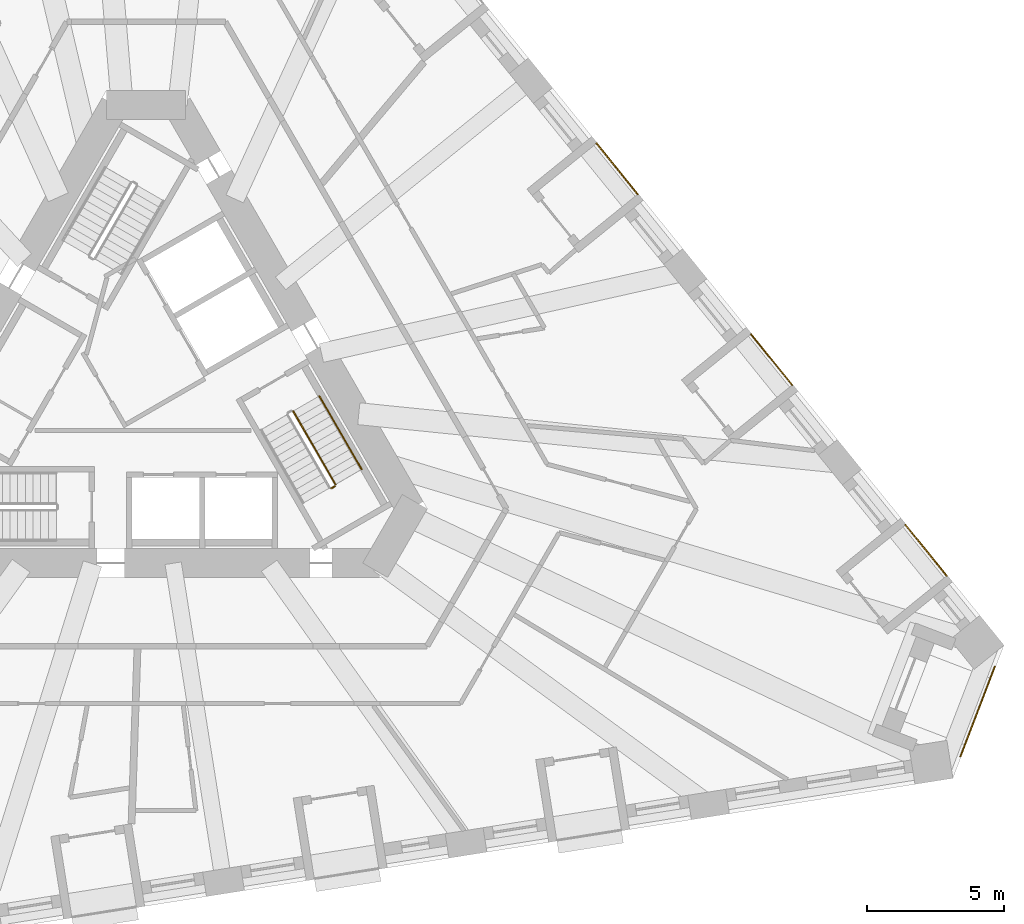
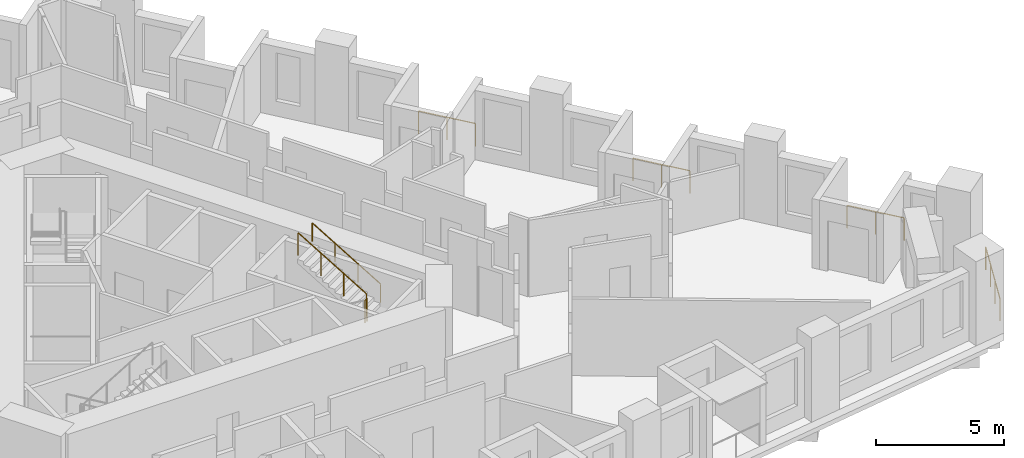
# One storey, part 13 of 14: 7 railings.
"""IFC4 building model written with IfcOpenShell, lengths in metres."""

from ifc_helpers import new_model, si_unit, direction, frame, origin, origin_2d, place, context, subcontext, project, spatial, circle, extrude, material, type_object, element, save


model = new_model("IFC4")

# Units and contexts
model_context = context("Model", 3, precision=1e-05, world=origin(), true_north=direction((0.0, 1.0)))
body_context = subcontext(model_context, "Body", "Model", "MODEL_VIEW")
ifc_project = project(units=[si_unit("LENGTHUNIT", "METRE"), si_unit("AREAUNIT", "SQUARE_METRE"), si_unit("VOLUMEUNIT", "CUBIC_METRE"), si_unit("PLANEANGLEUNIT", "RADIAN"), si_unit("MASSUNIT", "GRAM", prefix="KILO")], contexts=[model_context])

# Site, building, storey
site_placement = place(None, origin())
site = spatial("IfcSite", under=ifc_project, at=site_placement, CompositionType="ELEMENT")
building_placement = place(site_placement, origin())
building = spatial("IfcBuilding", under=site, at=building_placement, Name="Tramontana Tower", CompositionType="ELEMENT")
storey_placement = place(building_placement, frame((0.0, 0.0, 71.199951171875)))
storey = spatial("IfcBuildingStorey", under=building, at=storey_placement, Name="L15", CompositionType="ELEMENT", Elevation=71.199951171875)

# Railings
ifc_material_1 = material(Name="Laminated glass balustrade", Category="glass")
railing_type_1 = type_object("IfcRailingType", Name="GD1 Loggia glass balustrade 1100", PredefinedType="BALUSTRADE", material=ifc_material_1)
railing_1_placement = place(storey_placement, frame((29.18310546875, -6.68896484375, 0.0)))
element("IfcRailing", 1, at=railing_1_placement, inside=storey, type_object=railing_type_1, Name="Loggia balustrade L15 G1S2.1", PredefinedType="BALUSTRADE", context=body_context, shape_type="SweptSolid", body=[
    extrude(circle(Radius=0.02392578125, at=origin_2d()), frame((0.0, 0.0, 1.076171875), z_axis=(-0.629369155682, 0.777106470103, 0.0), x_axis=(-0.777106470103, -0.629369155682, 0.0)), (0.0, 0.0, 1.0), 2.383056640625),
    extrude(circle(Radius=0.02099609375, at=origin_2d()), origin(), (0.0, 0.0, 1.0), 1.052001953125),
    extrude(circle(Radius=0.02099609375, at=origin_2d()), frame((-0.75, 0.92578125, 0.0)), (0.0, 0.0, 1.0), 1.052001953125),
    extrude(circle(Radius=0.02099609375, at=origin_2d()), frame((-1.499755859375, 1.851806640625, 0.0)), (0.0, 0.0, 1.0), 1.052001953125),
])
railing_2_placement = place(storey_placement, frame((23.55126953125, 0.265625, 0.0)))
element("IfcRailing", 2, at=railing_2_placement, inside=storey, type_object=railing_type_1, Name="Loggia balustrade L15 G1S2.4", PredefinedType="BALUSTRADE", context=body_context, shape_type="SweptSolid", body=[
    extrude(circle(Radius=0.02392578125, at=origin_2d()), frame((0.0, 0.0, 1.076171875), z_axis=(-0.629257171563, 0.777197151331, 0.0), x_axis=(-0.777197151331, -0.629257171563, 0.0)), (0.0, 0.0, 1.0), 2.383056640625),
    extrude(circle(Radius=0.02099609375, at=origin_2d()), origin(), (0.0, 0.0, 1.0), 1.052001953125),
    extrude(circle(Radius=0.02099609375, at=origin_2d()), frame((-0.749755859375, 0.926025390625, 0.0)), (0.0, 0.0, 1.0), 1.052001953125),
    extrude(circle(Radius=0.02099609375, at=origin_2d()), frame((-1.49951171875, 1.85205078125, 0.0)), (0.0, 0.0, 1.0), 1.052001953125),
])
railing_3_placement = place(storey_placement, frame((17.919677734375, 7.22021484375, 0.0)))
element("IfcRailing", 3, at=railing_3_placement, inside=storey, type_object=railing_type_1, Name="Loggia balustrade L15 G1S2.7", PredefinedType="BALUSTRADE", context=body_context, shape_type="SweptSolid", body=[
    extrude(circle(Radius=0.02392578125, at=origin_2d()), frame((0.0, 0.0, 1.076171875), z_axis=(-0.629319049918, 0.777147047482, 0.0), x_axis=(-0.777147047482, -0.629319049918, 0.0)), (0.0, 0.0, 1.0), 2.383056640625),
    extrude(circle(Radius=0.02099609375, at=origin_2d()), origin(), (0.0, 0.0, 1.0), 1.052001953125),
    extrude(circle(Radius=0.02099609375, at=origin_2d()), frame((-0.75, 0.926025390625, 0.0)), (0.0, 0.0, 1.0), 1.052001953125),
    extrude(circle(Radius=0.02099609375, at=origin_2d()), frame((-1.499755859375, 1.85205078125, 0.0)), (0.0, 0.0, 1.0), 1.052001953125),
])
railing_4_placement = place(storey_placement, frame((30.9404296875, -10.00244140625, 0.0)))
element("IfcRailing", 4, at=railing_4_placement, inside=storey, type_object=railing_type_1, Name="Corner loggia balustrade L15 K12", PredefinedType="BALUSTRADE", context=body_context, shape_type="SweptSolid", body=[
    extrude(circle(Radius=0.02392578125, at=origin_2d()), frame((0.0, 0.0, 1.076171875), z_axis=(-0.358329267986, -0.933595274037, 0.0), x_axis=(0.933595274037, -0.358329267986, 0.0)), (0.0, 0.0, 1.0), 3.5),
    extrude(circle(Radius=0.02099609375, at=origin_2d()), origin(), (0.0, 0.0, 1.0), 1.052001953125),
    extrude(circle(Radius=0.02099609375, at=origin_2d()), frame((-0.41796875, -1.089111328125, 0.0)), (0.0, 0.0, 1.0), 1.052001953125),
    extrude(circle(Radius=0.02099609375, at=origin_2d()), frame((-0.836181640625, -2.178466796875, 0.0)), (0.0, 0.0, 1.0), 1.052001953125),
    extrude(circle(Radius=0.02099609375, at=origin_2d()), frame((-1.254150390625, -3.267578125, 0.0)), (0.0, 0.0, 1.0), 1.052001953125),
])
ifc_material_2 = material(Name="Painted steel", Category="steel")
railing_type_2 = type_object("IfcRailingType", Name="STAIR GUARD 1100", PredefinedType="GUARDRAIL", material=ifc_material_2)
railing_5_placement = place(storey_placement, frame((6.90380859375, -3.35791015625, 2.166748046875)))
element("IfcRailing", 5, at=railing_5_placement, inside=storey, type_object=railing_type_2, Name="L15 ST3 stair guard 2", PredefinedType="GUARDRAIL", context=body_context, shape_type="SweptSolid", body=[
    extrude(circle(Radius=0.02392578125, at=origin_2d()), frame((0.0, 0.0, 1.076171875), z_axis=(-0.429615651263, 0.74418122563, 0.511492615401), x_axis=(-0.866044340336, -0.499967199496, 0.0)), (0.0, 0.0, 1.0), 3.584228515625),
    extrude(circle(Radius=0.02099609375, at=origin_2d()), origin(), (0.0, 0.0, 1.0), 1.052001953125),
    extrude(circle(Radius=0.02099609375, at=origin_2d()), frame((-0.51318359375, 0.88916015625, 0.611083984375)), (0.0, 0.0, 1.0), 1.052001953125),
    extrude(circle(Radius=0.02099609375, at=origin_2d()), frame((-1.026611328125, 1.778076171875, 1.22216796875)), (0.0, 0.0, 1.0), 1.052001953125),
    extrude(circle(Radius=0.02099609375, at=origin_2d()), frame((-1.539794921875, 2.667236328125, 1.833251953125)), (0.0, 0.0, 1.0), 1.052001953125),
])
railing_6_placement = place(storey_placement, frame((6.755615234375, -3.501220703125, 2.0)))
element("IfcRailing", 6, at=railing_6_placement, inside=storey, type_object=railing_type_2, Name="L15 ST3 stair guard 3", PredefinedType="GUARDRAIL", context=body_context, shape_type="SweptSolid", body=[
    extrude(circle(Radius=0.02392578125, at=origin_2d()), frame((0.0, 0.0, 1.076171875), z_axis=(0.866131372301, 0.499816412211, 0.0), x_axis=(-0.499816412211, 0.866131372301, 0.0)), (0.0, 0.0, 1.0), 0.14990234375),
    extrude(circle(Radius=0.02099609375, at=origin_2d()), origin(), (0.0, 0.0, 1.0), 1.052001953125),
    extrude(circle(Radius=0.02099609375, at=origin_2d()), frame((0.1298828125, 0.074951171875, 0.0)), (0.0, 0.0, 1.0), 1.052001953125),
])
ifc_material_3 = material(Name="Painted steel", Category="steel")
railing_type_3 = type_object("IfcRailingType", Name="STAIR HANDRAIL 900", PredefinedType="HANDRAIL", material=ifc_material_3)
railing_7_placement = place(storey_placement, frame((7.8564453125, -2.807861328125, 2.166748046875)))
element("IfcRailing", 7, at=railing_7_placement, inside=storey, type_object=railing_type_3, Name="L15 ST3 stair handrail 2", PredefinedType="HANDRAIL", context=body_context, shape_type="SweptSolid", body=[
    extrude(circle(Radius=0.02392578125, at=origin_2d()), frame((0.0, 0.0, 0.8759765625), z_axis=(-0.429615651263, 0.74418122563, 0.511492615401), x_axis=(-0.866044340336, -0.499967199496, 0.0)), (0.0, 0.0, 1.0), 3.584228515625),
    extrude(circle(Radius=0.02099609375, at=origin_2d()), origin(), (0.0, 0.0, 1.0), 0.851806640625),
    extrude(circle(Radius=0.02099609375, at=origin_2d()), frame((-0.51318359375, 0.88916015625, 0.611083984375)), (0.0, 0.0, 1.0), 0.851806640625),
    extrude(circle(Radius=0.02099609375, at=origin_2d()), frame((-1.026611328125, 1.778076171875, 1.22216796875)), (0.0, 0.0, 1.0), 0.851806640625),
    extrude(circle(Radius=0.02099609375, at=origin_2d()), frame((-1.539794921875, 2.667236328125, 1.833251953125)), (0.0, 0.0, 1.0), 0.851806640625),
])

save(model, "model.ifc")
